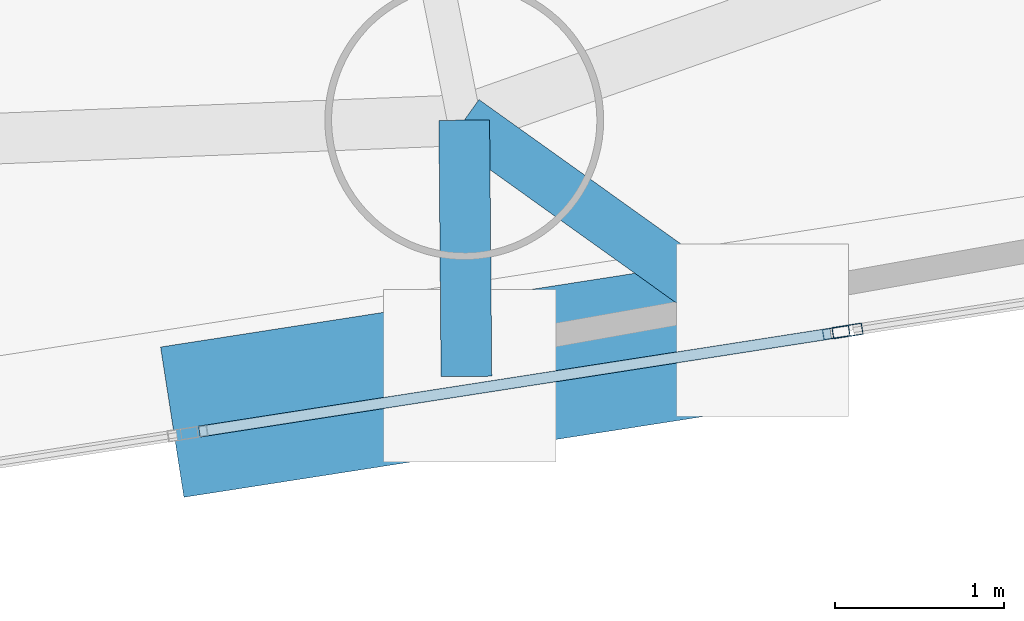
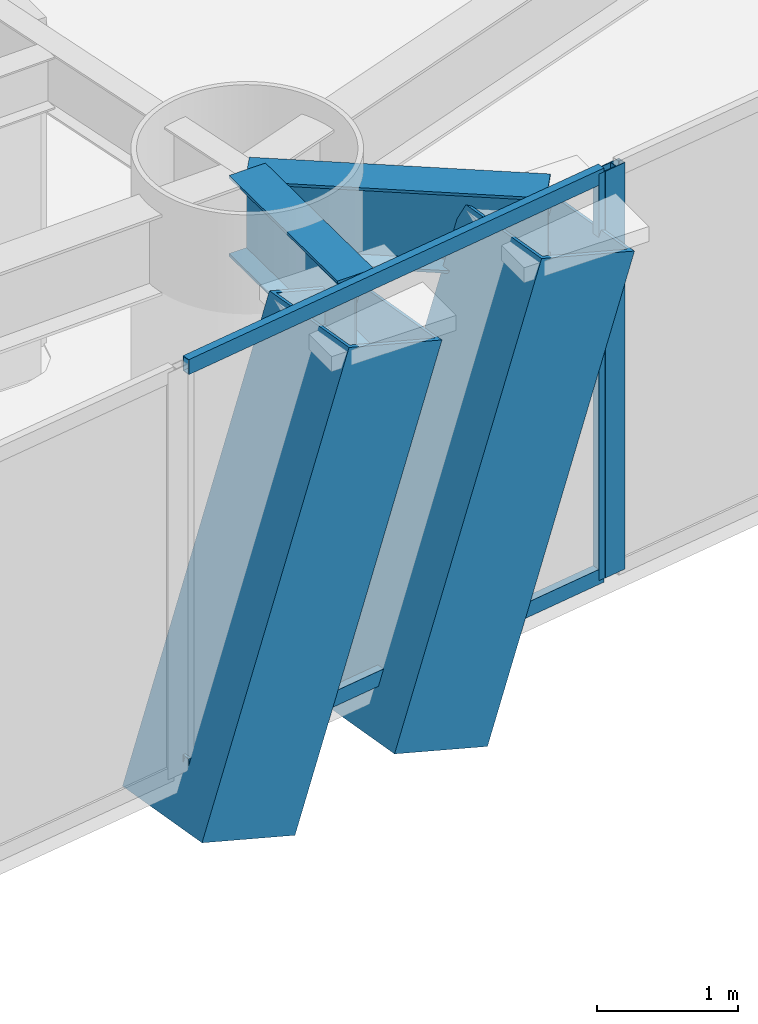
# One storey, part 6 of 23: 6 members, 2 beams, 2 elements without a shape of their own.
"""IFC4 building model written with IfcOpenShell, lengths in metres."""

from ifc_helpers import new_model, si_unit, direction, frame, origin, origin_2d, place, context, subcontext, project, spatial, hollow_rectangle, i_section, extrude, material, layer, layer_set, material_profile, profile_set, type_object, element, aggregate, save


model = new_model("IFC4")

# Units and contexts
model_context = context("Model", 3, precision=1e-05, world=origin(), true_north=direction((0.0, 1.0)))
body_context = subcontext(model_context, "Body", "Model", "MODEL_VIEW")
ifc_project = project(units=[si_unit("LENGTHUNIT", "METRE"), si_unit("AREAUNIT", "SQUARE_METRE"), si_unit("VOLUMEUNIT", "CUBIC_METRE"), si_unit("PLANEANGLEUNIT", "RADIAN"), si_unit("MASSUNIT", "GRAM", prefix="KILO")], contexts=[model_context])

# Site, building, storey
site_placement = place(None, origin())
site = spatial("IfcSite", under=ifc_project, at=site_placement, CompositionType="ELEMENT")
building_placement = place(site_placement, origin())
building = spatial("IfcBuilding", under=site, at=building_placement, Name="Qianvela Tower", CompositionType="ELEMENT")
storey_placement = place(building_placement, frame((0.0, 0.0, 78.39990234375)))
storey = spatial("IfcBuildingStorey", under=building, at=storey_placement, Name="L19", CompositionType="ELEMENT", Elevation=78.39990234375)

# Beams
ifc_material_1 = material(Name="Steel Q355B", Category="steel")
ifc_material_profile_1 = material_profile(ifc_material_1, i_section(OverallWidth=0.300048828125, OverallDepth=0.699951171875, WebThickness=0.012939453125, FlangeThickness=0.02392578125, at=origin_2d()), Name="HN700x300x13x24")
ifc_profile_set_1 = profile_set([ifc_material_profile_1], Name="Steel Q355B")
beam_type = type_object("IfcBeamType", Name="BM-HN700-SPAND", PredefinedType="SPANDREL", material=ifc_profile_set_1)
beam_1_placement = place(storey_placement, frame((40.18896484375, 14.819091796875, 3.168212890625), z_axis=(0.008532936801, -0.999963593832, 0.0), x_axis=(0.999963593832, 0.008532936801, 0.0)))
element("IfcBeam", 1, at=beam_1_placement, inside=storey, type_object=beam_type, Name="L19 Mega-Brace Column Tie Bracket F3-1", PredefinedType="SPANDREL", context=body_context, shape_type="SweptSolid", body=[
    extrude(i_section(OverallWidth=0.300048828125, OverallDepth=0.699951171875, WebThickness=0.012939453125, FlangeThickness=0.02392578125, at=origin_2d()), origin(), (0.0, 0.0, 1.0), 1.516357421875),
])
beam_2_placement = place(storey_placement, frame((40.18896484375, 14.819091796875, 3.168212890625), z_axis=(0.813518067905, -0.581539640258, 0.0), x_axis=(0.581539640258, 0.813518067905, 0.0)))
element("IfcBeam", 2, at=beam_2_placement, inside=storey, type_object=beam_type, Name="L19 Mega-Brace Column Tie Bracket F3-2", PredefinedType="SPANDREL", context=body_context, shape_type="SweptSolid", body=[
    extrude(i_section(OverallWidth=0.300048828125, OverallDepth=0.699951171875, WebThickness=0.012939453125, FlangeThickness=0.02392578125, at=origin_2d()), origin(), (0.0, 0.0, 1.0), 2.144775390625),
])

# Curtain wall, members
ifc_material_2 = material(Name="Anodised Architectural Aluminium and Insulated Spandrel Panel", Category="aluminium")
ifc_layer_1 = layer(ifc_material_2, 0.179931640625)
ifc_layer_set_1 = layer_set([ifc_layer_1], Name="Anodised Architectural Aluminium and Insulated Spandrel Panel")
curtain_wall_type_1 = type_object("IfcCurtainWallType", Name="CW-BRACEBAY", PredefinedType="USERDEFINED", material=ifc_layer_set_1)
curtain_wall_1_placement = place(storey_placement, origin())
curtain_wall_1 = element("IfcCurtainWall", 3, at=curtain_wall_1_placement, inside=storey, type_object=curtain_wall_type_1, Name="L19 CW-BRACEBAY Curtain Wall 06B", ObjectType="CURTAIN_WALL_SYSTEM", PredefinedType="USERDEFINED")
ifc_material_3 = material(Name="Anodised Architectural Aluminium 6063-T6", Category="aluminium")
ifc_material_profile_2 = material_profile(ifc_material_3, hollow_rectangle(XDim=0.06494140625, YDim=0.159912109375, WallThickness=0.0048828125, at=origin_2d()), Name="ALU-MULL-65x160")
ifc_profile_set_2 = profile_set([ifc_material_profile_2], Name="Anodised Architectural Aluminium 6063-T6")
member_type_1 = type_object("IfcMemberType", Name="CW-BRACEBAY-MULL", PredefinedType="MULLION", material=ifc_profile_set_2)
member_1_placement = place(storey_placement, frame((42.39013671875, 13.561767578125, 0.0), z_axis=(0.0, 0.0, 1.0), x_axis=(-0.153552185748, 0.988140539727, 0.0)))
member_1 = element("IfcMember", 4, at=member_1_placement, type_object=member_type_1, Name="CW-9 mullion 2", PredefinedType="MULLION", context=body_context, shape_type="SweptSolid", body=[
    extrude(hollow_rectangle(XDim=0.06494140625, YDim=0.159912109375, WallThickness=0.0048828125, at=origin_2d()), origin(), (0.0, 0.0, 1.0), 3.52001953125),
])
ifc_material_4 = material(Name="Anodised Architectural Aluminium 6063-T6", Category="aluminium")
ifc_material_profile_3 = material_profile(ifc_material_4, hollow_rectangle(XDim=0.06494140625, YDim=0.1298828125, WallThickness=0.00439453125, at=origin_2d()), Name="ALU-TRAN-65x130")
ifc_profile_set_3 = profile_set([ifc_material_profile_3], Name="Anodised Architectural Aluminium 6063-T6")
member_type_2 = type_object("IfcMemberType", Name="CW-BRACEBAY-TRAN", PredefinedType="USERDEFINED", material=ifc_profile_set_3)
member_2_placement = place(storey_placement, frame((38.622802734375, 12.976318359375, 0.03271484375), z_axis=(0.98814435604, 0.153527624963, 0.0), x_axis=(-0.153527624963, 0.98814435604, 0.0)))
member_2 = element("IfcMember", 5, at=member_2_placement, type_object=member_type_2, Name="CW-9 transom 1.1", ObjectType="TRANSOM", PredefinedType="USERDEFINED", context=body_context, shape_type="SweptSolid", body=[
    extrude(hollow_rectangle(XDim=0.06494140625, YDim=0.1298828125, WallThickness=0.00439453125, at=origin_2d()), origin(), (0.0, 0.0, 1.0), 3.780029296875),
])
member_3_placement = place(storey_placement, frame((38.622802734375, 12.976318359375, 3.487548828125), z_axis=(0.98814435604, 0.153527624963, 0.0), x_axis=(-0.153527624963, 0.98814435604, 0.0)))
member_3 = element("IfcMember", 6, at=member_3_placement, type_object=member_type_2, Name="CW-9 transom 1.2", ObjectType="TRANSOM", PredefinedType="USERDEFINED", context=body_context, shape_type="SweptSolid", body=[
    extrude(hollow_rectangle(XDim=0.06494140625, YDim=0.1298828125, WallThickness=0.00439453125, at=origin_2d()), origin(), (0.0, 0.0, 1.0), 3.780029296875),
])
aggregate(curtain_wall_1, [member_1, member_2, member_3])

# Curtain wall, member
ifc_material_5 = material(Name="Anodised Architectural Aluminium and Low-E Glass", Category="aluminium")
ifc_layer_2 = layer(ifc_material_5, 0.179931640625)
ifc_layer_set_2 = layer_set([ifc_layer_2], Name="Anodised Architectural Aluminium and Low-E Glass")
curtain_wall_type_2 = type_object("IfcCurtainWallType", Name="CW-COLIV-Z12", PredefinedType="USERDEFINED", material=ifc_layer_set_2)
curtain_wall_2_placement = place(storey_placement, origin())
curtain_wall_2 = element("IfcCurtainWall", 7, at=curtain_wall_2_placement, inside=storey, type_object=curtain_wall_type_2, Name="L19 CW-COLIV-Z12 Curtain Wall 06C", ObjectType="CURTAIN_WALL_SYSTEM", PredefinedType="USERDEFINED")
ifc_material_6 = material(Name="Anodised Architectural Aluminium 6063-T6", Category="aluminium")
ifc_material_profile_4 = material_profile(ifc_material_6, hollow_rectangle(XDim=0.070068359375, YDim=0.179931640625, WallThickness=0.0048828125, at=origin_2d()), Name="ALU-MULL-70x180")
ifc_profile_set_4 = profile_set([ifc_material_profile_4], Name="Anodised Architectural Aluminium 6063-T6")
member_type_3 = type_object("IfcMemberType", Name="CW-COLIV-Z12-MULL", PredefinedType="MULLION", material=ifc_profile_set_4)
member_4_placement = place(storey_placement, frame((42.456787109375, 13.572021484375, 0.0), z_axis=(0.0, 0.0, 1.0), x_axis=(-0.153557238103, 0.988139754603, 0.0)))
member_4 = element("IfcMember", 8, at=member_4_placement, type_object=member_type_3, Name="CW-3 mullion 1", PredefinedType="MULLION", context=body_context, shape_type="SweptSolid", body=[
    extrude(hollow_rectangle(XDim=0.070068359375, YDim=0.179931640625, WallThickness=0.0048828125, at=origin_2d()), origin(), (0.0, 0.0, 1.0), 3.52001953125),
])
aggregate(curtain_wall_2, [member_4])

# Members
ifc_material_7 = material(Name="Steel Q420GJC", Category="steel")
ifc_material_profile_5 = material_profile(ifc_material_7, hollow_rectangle(XDim=0.89990234375, YDim=0.89990234375, WallThickness=0.035888671875, at=origin_2d()), Name="MBOX-900x900x36")
ifc_profile_set_5 = profile_set([ifc_material_profile_5], Name="Steel Q420GJC")
member_type_4 = type_object("IfcMemberType", Name="MBR-MBRACE-900", PredefinedType="BRACE", material=ifc_profile_set_5)
member_5_placement = place(storey_placement, frame((38.87939453125, 13.09716796875, -0.531982421875), z_axis=(0.336105057611, 0.052243023539, 0.940374423695), x_axis=(-0.153592227178, 0.988134316655, 0.0)))
element("IfcMember", 9, at=member_5_placement, inside=storey, type_object=member_type_4, Name="L19 Tier 3 Exterior Mega-Brace F3A", PredefinedType="BRACE", context=body_context, shape_type="SweptSolid", body=[
    extrude(hollow_rectangle(XDim=0.89990234375, YDim=0.89990234375, WallThickness=0.035888671875, at=origin_2d()), origin(), (0.0, 0.0, 1.0), 3.934814453125),
])
member_6_placement = place(storey_placement, frame((40.61083984375, 13.3662109375, -0.531982421875), z_axis=(0.336215125086, 0.052240844311, 0.940335197602), x_axis=(-0.153536877166, 0.988142918484, 0.0)))
element("IfcMember", 10, at=member_6_placement, inside=storey, type_object=member_type_4, Name="L19 Tier 3 Exterior Mega-Brace F3B", PredefinedType="BRACE", context=body_context, shape_type="SweptSolid", body=[
    extrude(hollow_rectangle(XDim=0.89990234375, YDim=0.89990234375, WallThickness=0.035888671875, at=origin_2d()), origin(), (0.0, 0.0, 1.0), 3.93505859375),
])

save(model, "model.ifc")
